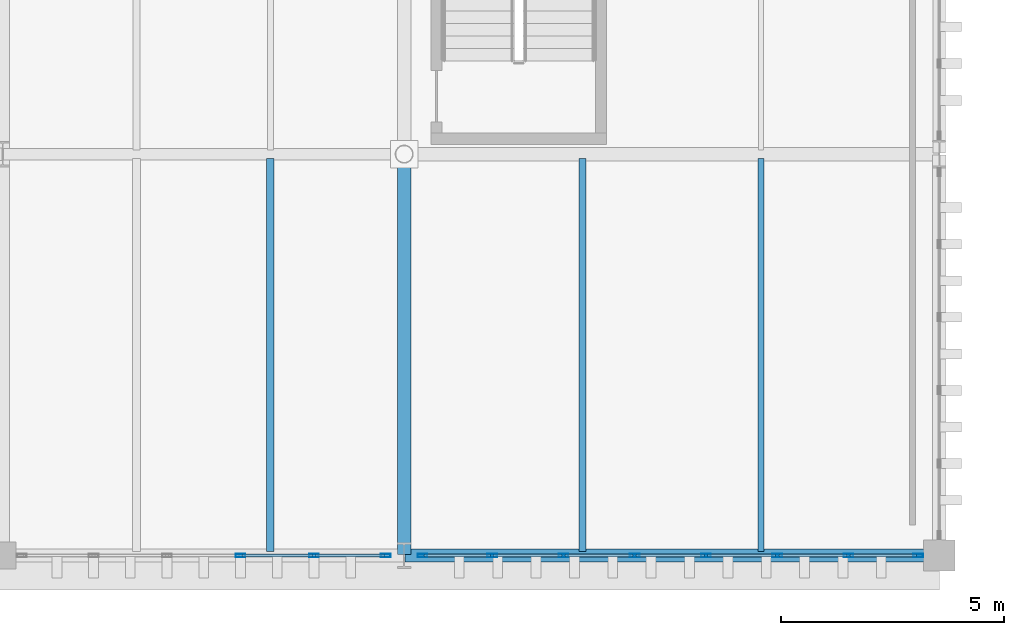
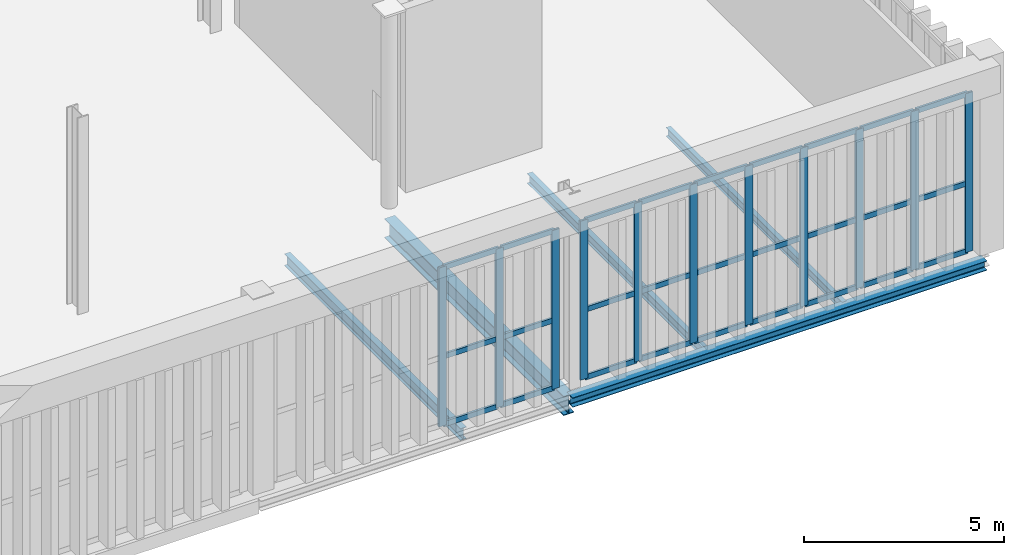
# One storey, part 119 of 237: 38 members, 5 beams, 2 elements without a shape of their own.
"""IFC4 building model written with IfcOpenShell, lengths in metres."""

from ifc_helpers import new_model, si_unit, direction, frame, origin, origin_2d, place, context, subcontext, project, spatial, hollow_rectangle, i_section, extrude, material, layer, layer_set, material_profile, profile_set, type_object, element, aggregate, save


model = new_model("IFC4")

# Units and contexts
model_context = context("Model", 3, precision=1e-05, world=origin(), true_north=direction((0.0, 1.0)))
body_context = subcontext(model_context, "Body", "Model", "MODEL_VIEW")
ifc_project = project(units=[si_unit("LENGTHUNIT", "METRE"), si_unit("AREAUNIT", "SQUARE_METRE"), si_unit("VOLUMEUNIT", "CUBIC_METRE"), si_unit("PLANEANGLEUNIT", "RADIAN"), si_unit("MASSUNIT", "GRAM", prefix="KILO")], contexts=[model_context])

# Site, building, storey
site_placement = place(None, origin())
site = spatial("IfcSite", under=ifc_project, at=site_placement, CompositionType="ELEMENT")
building_placement = place(site_placement, origin())
building = spatial("IfcBuilding", under=site, at=building_placement, Name="Barlavento Convention Centre", CompositionType="ELEMENT")
storey_placement = place(building_placement, frame((0.0, 0.0, 12.0)))
storey = spatial("IfcBuildingStorey", under=building, at=storey_placement, Name="L02", CompositionType="ELEMENT", Elevation=12.0)

# Curtain wall, members
ifc_material_1 = material(Name="Powder-coated aluminium and Low-E glass", Category="aluminium")
ifc_layer = layer(ifc_material_1, 0.195068359375)
ifc_layer_set = layer_set([ifc_layer], Name="ARC-CW-BALL-L02")
curtain_wall_type = type_object("IfcCurtainWallType", Name="ARC-CW-BALL-L02", PredefinedType="NOTDEFINED", material=ifc_layer_set)
curtain_wall_1_placement = place(storey_placement, origin())
curtain_wall_1 = element("IfcCurtainWall", 1, at=curtain_wall_1_placement, inside=storey, type_object=curtain_wall_type, Name="L02 unitised curtain wall CW07", PredefinedType="NOTDEFINED")
ifc_material_2 = material(Name="Powder-coated aluminium", Category="aluminium")
ifc_material_profile_1 = material_profile(ifc_material_2, hollow_rectangle(XDim=0.070068359375, YDim=0.219970703125, WallThickness=0.006103515625, at=origin_2d()), Name="AL-MULL 70x220x6")
ifc_profile_set_1 = profile_set([ifc_material_profile_1], Name="Powder-coated aluminium")
member_type_1 = type_object("IfcMemberType", Name="ARC-CWM-70X220", PredefinedType="MULLION", material=ifc_profile_set_1)
member_1_placement = place(storey_placement, frame((176.330322265625, 0.0, 0.0), z_axis=(0.0, 0.0, 1.0), x_axis=(0.0, 1.0, 0.0)))
member_1 = element("IfcMember", 2, at=member_1_placement, type_object=member_type_1, Name="CW07 mullion 4", PredefinedType="MULLION", context=body_context, shape_type="SweptSolid", body=[
    extrude(hollow_rectangle(XDim=0.070068359375, YDim=0.219970703125, WallThickness=0.006103515625, at=origin_2d()), origin(), (0.0, 0.0, 1.0), 4.85009765625),
])
member_2_placement = place(storey_placement, frame((177.977294921875, 0.0, 0.0), z_axis=(0.0, 0.0, 1.0), x_axis=(0.0, 1.0, 0.0)))
member_2 = element("IfcMember", 3, at=member_2_placement, type_object=member_type_1, Name="CW07 mullion 5", PredefinedType="MULLION", context=body_context, shape_type="SweptSolid", body=[
    extrude(hollow_rectangle(XDim=0.070068359375, YDim=0.219970703125, WallThickness=0.006103515625, at=origin_2d()), origin(), (0.0, 0.0, 1.0), 4.85009765625),
])
member_3_placement = place(storey_placement, frame((179.589111328125, 0.0, 0.0), z_axis=(0.0, 0.0, 1.0), x_axis=(0.0, 1.0, 0.0)))
member_3 = element("IfcMember", 4, at=member_3_placement, type_object=member_type_1, Name="CW07 mullion 6", PredefinedType="MULLION", context=body_context, shape_type="SweptSolid", body=[
    extrude(hollow_rectangle(XDim=0.070068359375, YDim=0.219970703125, WallThickness=0.006103515625, at=origin_2d()), origin(), (0.0, 0.0, 1.0), 4.85009765625),
])

curtain_wall_2_placement = place(storey_placement, origin())
curtain_wall_2 = element("IfcCurtainWall", 5, at=curtain_wall_2_placement, inside=storey, type_object=curtain_wall_type, Name="L02 unitised curtain wall CW07", PredefinedType="NOTDEFINED")
member_4_placement = place(storey_placement, frame((180.410888671875, 0.0, 0.0), z_axis=(0.0, 0.0, 1.0), x_axis=(0.0, 1.0, 0.0)))
member_4 = element("IfcMember", 6, at=member_4_placement, type_object=member_type_1, Name="CW07 mullion 1", PredefinedType="MULLION", context=body_context, shape_type="SweptSolid", body=[
    extrude(hollow_rectangle(XDim=0.070068359375, YDim=0.219970703125, WallThickness=0.006103515625, at=origin_2d()), origin(), (0.0, 0.0, 1.0), 4.85009765625),
])
member_5_placement = place(storey_placement, frame((181.9736328125, 0.0, 0.0), z_axis=(0.0, 0.0, 1.0), x_axis=(0.0, 1.0, 0.0)))
member_5 = element("IfcMember", 7, at=member_5_placement, type_object=member_type_1, Name="CW07 mullion 2", PredefinedType="MULLION", context=body_context, shape_type="SweptSolid", body=[
    extrude(hollow_rectangle(XDim=0.070068359375, YDim=0.219970703125, WallThickness=0.006103515625, at=origin_2d()), origin(), (0.0, 0.0, 1.0), 4.85009765625),
])
member_6_placement = place(storey_placement, frame((183.571533203125, 0.0, 0.0), z_axis=(0.0, 0.0, 1.0), x_axis=(0.0, 1.0, 0.0)))
member_6 = element("IfcMember", 8, at=member_6_placement, type_object=member_type_1, Name="CW07 mullion 3", PredefinedType="MULLION", context=body_context, shape_type="SweptSolid", body=[
    extrude(hollow_rectangle(XDim=0.070068359375, YDim=0.219970703125, WallThickness=0.006103515625, at=origin_2d()), origin(), (0.0, 0.0, 1.0), 4.85009765625),
])
member_7_placement = place(storey_placement, frame((185.169189453125, 0.0, 0.0), z_axis=(0.0, 0.0, 1.0), x_axis=(0.0, 1.0, 0.0)))
member_7 = element("IfcMember", 9, at=member_7_placement, type_object=member_type_1, Name="CW07 mullion 4", PredefinedType="MULLION", context=body_context, shape_type="SweptSolid", body=[
    extrude(hollow_rectangle(XDim=0.070068359375, YDim=0.219970703125, WallThickness=0.006103515625, at=origin_2d()), origin(), (0.0, 0.0, 1.0), 4.85009765625),
])
member_8_placement = place(storey_placement, frame((186.766845703125, 0.0, 0.0), z_axis=(0.0, 0.0, 1.0), x_axis=(0.0, 1.0, 0.0)))
member_8 = element("IfcMember", 10, at=member_8_placement, type_object=member_type_1, Name="CW07 mullion 5", PredefinedType="MULLION", context=body_context, shape_type="SweptSolid", body=[
    extrude(hollow_rectangle(XDim=0.070068359375, YDim=0.219970703125, WallThickness=0.006103515625, at=origin_2d()), origin(), (0.0, 0.0, 1.0), 4.85009765625),
])
member_9_placement = place(storey_placement, frame((188.364501953125, 0.0, 0.0), z_axis=(0.0, 0.0, 1.0), x_axis=(0.0, 1.0, 0.0)))
member_9 = element("IfcMember", 11, at=member_9_placement, type_object=member_type_1, Name="CW07 mullion 6", PredefinedType="MULLION", context=body_context, shape_type="SweptSolid", body=[
    extrude(hollow_rectangle(XDim=0.070068359375, YDim=0.219970703125, WallThickness=0.006103515625, at=origin_2d()), origin(), (0.0, 0.0, 1.0), 4.85009765625),
])
member_10_placement = place(storey_placement, frame((189.96240234375, 0.0, 0.0), z_axis=(0.0, 0.0, 1.0), x_axis=(0.0, 1.0, 0.0)))
member_10 = element("IfcMember", 12, at=member_10_placement, type_object=member_type_1, Name="CW07 mullion 7", PredefinedType="MULLION", context=body_context, shape_type="SweptSolid", body=[
    extrude(hollow_rectangle(XDim=0.070068359375, YDim=0.219970703125, WallThickness=0.006103515625, at=origin_2d()), origin(), (0.0, 0.0, 1.0), 4.85009765625),
])
member_11_placement = place(storey_placement, frame((191.52490234375, 0.0, 0.0), z_axis=(0.0, 0.0, 1.0), x_axis=(0.0, 1.0, 0.0)))
member_11 = element("IfcMember", 13, at=member_11_placement, type_object=member_type_1, Name="CW07 mullion 8", PredefinedType="MULLION", context=body_context, shape_type="SweptSolid", body=[
    extrude(hollow_rectangle(XDim=0.070068359375, YDim=0.219970703125, WallThickness=0.006103515625, at=origin_2d()), origin(), (0.0, 0.0, 1.0), 4.85009765625),
])

# Member
ifc_material_profile_2 = material_profile(ifc_material_2, hollow_rectangle(XDim=0.06494140625, YDim=0.159912109375, WallThickness=0.0048828125, at=origin_2d()), Name="AL-TRAN 65x160x5")
ifc_profile_set_2 = profile_set([ifc_material_profile_2], Name="Powder-coated aluminium")
member_type_2 = type_object("IfcMemberType", Name="ARC-CWT-65X160", PredefinedType="USERDEFINED", material=ifc_profile_set_2)
member_12_placement = place(storey_placement, frame((176.365478515625, 0.0, 0.032470703125), z_axis=(1.0, 0.0, 0.0), x_axis=(0.0, 1.0, 0.0)))
member_12 = element("IfcMember", 14, at=member_12_placement, type_object=member_type_2, Name="CW07 transom 4.1", ObjectType="TRANSOM", PredefinedType="USERDEFINED", context=body_context, shape_type="SweptSolid", body=[
    extrude(hollow_rectangle(XDim=0.06494140625, YDim=0.159912109375, WallThickness=0.0048828125, at=origin_2d()), origin(), (0.0, 0.0, 1.0), 1.57666015625),
])

member_13_placement = place(storey_placement, frame((176.365478515625, 0.0, 2.10009765625), z_axis=(1.0, 0.0, 0.0), x_axis=(0.0, 1.0, 0.0)))
member_13 = element("IfcMember", 15, at=member_13_placement, type_object=member_type_2, Name="CW07 transom 4.2", ObjectType="TRANSOM", PredefinedType="USERDEFINED", context=body_context, shape_type="SweptSolid", body=[
    extrude(hollow_rectangle(XDim=0.06494140625, YDim=0.159912109375, WallThickness=0.0048828125, at=origin_2d()), origin(), (0.0, 0.0, 1.0), 1.57666015625),
])

member_14_placement = place(storey_placement, frame((176.365478515625, 0.0, 4.8173828125), z_axis=(1.0, 0.0, 0.0), x_axis=(0.0, 1.0, 0.0)))
member_14 = element("IfcMember", 16, at=member_14_placement, type_object=member_type_2, Name="CW07 transom 4.3", ObjectType="TRANSOM", PredefinedType="USERDEFINED", context=body_context, shape_type="SweptSolid", body=[
    extrude(hollow_rectangle(XDim=0.06494140625, YDim=0.159912109375, WallThickness=0.0048828125, at=origin_2d()), origin(), (0.0, 0.0, 1.0), 1.57666015625),
])

member_15_placement = place(storey_placement, frame((178.01220703125, 0.0, 0.032470703125), z_axis=(1.0, 0.0, 0.0), x_axis=(0.0, 1.0, 0.0)))
member_15 = element("IfcMember", 17, at=member_15_placement, type_object=member_type_2, Name="CW07 transom 5.1", ObjectType="TRANSOM", PredefinedType="USERDEFINED", context=body_context, shape_type="SweptSolid", body=[
    extrude(hollow_rectangle(XDim=0.06494140625, YDim=0.159912109375, WallThickness=0.0048828125, at=origin_2d()), origin(), (0.0, 0.0, 1.0), 1.541748046875),
])

member_16_placement = place(storey_placement, frame((178.01220703125, 0.0, 2.10009765625), z_axis=(1.0, 0.0, 0.0), x_axis=(0.0, 1.0, 0.0)))
member_16 = element("IfcMember", 18, at=member_16_placement, type_object=member_type_2, Name="CW07 transom 5.2", ObjectType="TRANSOM", PredefinedType="USERDEFINED", context=body_context, shape_type="SweptSolid", body=[
    extrude(hollow_rectangle(XDim=0.06494140625, YDim=0.159912109375, WallThickness=0.0048828125, at=origin_2d()), origin(), (0.0, 0.0, 1.0), 1.541748046875),
])

member_17_placement = place(storey_placement, frame((178.01220703125, 0.0, 4.8173828125), z_axis=(1.0, 0.0, 0.0), x_axis=(0.0, 1.0, 0.0)))
member_17 = element("IfcMember", 19, at=member_17_placement, type_object=member_type_2, Name="CW07 transom 5.3", ObjectType="TRANSOM", PredefinedType="USERDEFINED", context=body_context, shape_type="SweptSolid", body=[
    extrude(hollow_rectangle(XDim=0.06494140625, YDim=0.159912109375, WallThickness=0.0048828125, at=origin_2d()), origin(), (0.0, 0.0, 1.0), 1.541748046875),
])

aggregate(curtain_wall_1, [member_1, member_2, member_3, member_12, member_13, member_14, member_15, member_16, member_17])

member_18_placement = place(storey_placement, frame((180.446044921875, 0.0, 0.032470703125), z_axis=(1.0, 0.0, 0.0), x_axis=(0.0, 1.0, 0.0)))
member_18 = element("IfcMember", 20, at=member_18_placement, type_object=member_type_2, Name="CW07 transom 1.1", ObjectType="TRANSOM", PredefinedType="USERDEFINED", context=body_context, shape_type="SweptSolid", body=[
    extrude(hollow_rectangle(XDim=0.06494140625, YDim=0.159912109375, WallThickness=0.0048828125, at=origin_2d()), origin(), (0.0, 0.0, 1.0), 1.49267578125),
])

member_19_placement = place(storey_placement, frame((180.446044921875, 0.0, 2.10009765625), z_axis=(1.0, 0.0, 0.0), x_axis=(0.0, 1.0, 0.0)))
member_19 = element("IfcMember", 21, at=member_19_placement, type_object=member_type_2, Name="CW07 transom 1.2", ObjectType="TRANSOM", PredefinedType="USERDEFINED", context=body_context, shape_type="SweptSolid", body=[
    extrude(hollow_rectangle(XDim=0.06494140625, YDim=0.159912109375, WallThickness=0.0048828125, at=origin_2d()), origin(), (0.0, 0.0, 1.0), 1.49267578125),
])

member_20_placement = place(storey_placement, frame((180.446044921875, 0.0, 4.8173828125), z_axis=(1.0, 0.0, 0.0), x_axis=(0.0, 1.0, 0.0)))
member_20 = element("IfcMember", 22, at=member_20_placement, type_object=member_type_2, Name="CW07 transom 1.3", ObjectType="TRANSOM", PredefinedType="USERDEFINED", context=body_context, shape_type="SweptSolid", body=[
    extrude(hollow_rectangle(XDim=0.06494140625, YDim=0.159912109375, WallThickness=0.0048828125, at=origin_2d()), origin(), (0.0, 0.0, 1.0), 1.49267578125),
])

member_21_placement = place(storey_placement, frame((182.0087890625, 0.0, 0.032470703125), z_axis=(1.0, 0.0, 0.0), x_axis=(0.0, 1.0, 0.0)))
member_21 = element("IfcMember", 23, at=member_21_placement, type_object=member_type_2, Name="CW07 transom 2.1", ObjectType="TRANSOM", PredefinedType="USERDEFINED", context=body_context, shape_type="SweptSolid", body=[
    extrude(hollow_rectangle(XDim=0.06494140625, YDim=0.159912109375, WallThickness=0.0048828125, at=origin_2d()), origin(), (0.0, 0.0, 1.0), 1.527587890625),
])

member_22_placement = place(storey_placement, frame((182.0087890625, 0.0, 2.10009765625), z_axis=(1.0, 0.0, 0.0), x_axis=(0.0, 1.0, 0.0)))
member_22 = element("IfcMember", 24, at=member_22_placement, type_object=member_type_2, Name="CW07 transom 2.2", ObjectType="TRANSOM", PredefinedType="USERDEFINED", context=body_context, shape_type="SweptSolid", body=[
    extrude(hollow_rectangle(XDim=0.06494140625, YDim=0.159912109375, WallThickness=0.0048828125, at=origin_2d()), origin(), (0.0, 0.0, 1.0), 1.527587890625),
])

member_23_placement = place(storey_placement, frame((182.0087890625, 0.0, 4.8173828125), z_axis=(1.0, 0.0, 0.0), x_axis=(0.0, 1.0, 0.0)))
member_23 = element("IfcMember", 25, at=member_23_placement, type_object=member_type_2, Name="CW07 transom 2.3", ObjectType="TRANSOM", PredefinedType="USERDEFINED", context=body_context, shape_type="SweptSolid", body=[
    extrude(hollow_rectangle(XDim=0.06494140625, YDim=0.159912109375, WallThickness=0.0048828125, at=origin_2d()), origin(), (0.0, 0.0, 1.0), 1.527587890625),
])

member_24_placement = place(storey_placement, frame((183.6064453125, 0.0, 0.032470703125), z_axis=(1.0, 0.0, 0.0), x_axis=(0.0, 1.0, 0.0)))
member_24 = element("IfcMember", 26, at=member_24_placement, type_object=member_type_2, Name="CW07 transom 3.1", ObjectType="TRANSOM", PredefinedType="USERDEFINED", context=body_context, shape_type="SweptSolid", body=[
    extrude(hollow_rectangle(XDim=0.06494140625, YDim=0.159912109375, WallThickness=0.0048828125, at=origin_2d()), origin(), (0.0, 0.0, 1.0), 1.527587890625),
])

member_25_placement = place(storey_placement, frame((183.6064453125, 0.0, 2.10009765625), z_axis=(1.0, 0.0, 0.0), x_axis=(0.0, 1.0, 0.0)))
member_25 = element("IfcMember", 27, at=member_25_placement, type_object=member_type_2, Name="CW07 transom 3.2", ObjectType="TRANSOM", PredefinedType="USERDEFINED", context=body_context, shape_type="SweptSolid", body=[
    extrude(hollow_rectangle(XDim=0.06494140625, YDim=0.159912109375, WallThickness=0.0048828125, at=origin_2d()), origin(), (0.0, 0.0, 1.0), 1.527587890625),
])

member_26_placement = place(storey_placement, frame((183.6064453125, 0.0, 4.8173828125), z_axis=(1.0, 0.0, 0.0), x_axis=(0.0, 1.0, 0.0)))
member_26 = element("IfcMember", 28, at=member_26_placement, type_object=member_type_2, Name="CW07 transom 3.3", ObjectType="TRANSOM", PredefinedType="USERDEFINED", context=body_context, shape_type="SweptSolid", body=[
    extrude(hollow_rectangle(XDim=0.06494140625, YDim=0.159912109375, WallThickness=0.0048828125, at=origin_2d()), origin(), (0.0, 0.0, 1.0), 1.527587890625),
])

member_27_placement = place(storey_placement, frame((185.2041015625, 0.0, 0.032470703125), z_axis=(1.0, 0.0, 0.0), x_axis=(0.0, 1.0, 0.0)))
member_27 = element("IfcMember", 29, at=member_27_placement, type_object=member_type_2, Name="CW07 transom 4.1", ObjectType="TRANSOM", PredefinedType="USERDEFINED", context=body_context, shape_type="SweptSolid", body=[
    extrude(hollow_rectangle(XDim=0.06494140625, YDim=0.159912109375, WallThickness=0.0048828125, at=origin_2d()), origin(), (0.0, 0.0, 1.0), 1.52783203125),
])

member_28_placement = place(storey_placement, frame((185.2041015625, 0.0, 2.10009765625), z_axis=(1.0, 0.0, 0.0), x_axis=(0.0, 1.0, 0.0)))
member_28 = element("IfcMember", 30, at=member_28_placement, type_object=member_type_2, Name="CW07 transom 4.2", ObjectType="TRANSOM", PredefinedType="USERDEFINED", context=body_context, shape_type="SweptSolid", body=[
    extrude(hollow_rectangle(XDim=0.06494140625, YDim=0.159912109375, WallThickness=0.0048828125, at=origin_2d()), origin(), (0.0, 0.0, 1.0), 1.52783203125),
])

member_29_placement = place(storey_placement, frame((185.2041015625, 0.0, 4.8173828125), z_axis=(1.0, 0.0, 0.0), x_axis=(0.0, 1.0, 0.0)))
member_29 = element("IfcMember", 31, at=member_29_placement, type_object=member_type_2, Name="CW07 transom 4.3", ObjectType="TRANSOM", PredefinedType="USERDEFINED", context=body_context, shape_type="SweptSolid", body=[
    extrude(hollow_rectangle(XDim=0.06494140625, YDim=0.159912109375, WallThickness=0.0048828125, at=origin_2d()), origin(), (0.0, 0.0, 1.0), 1.52783203125),
])

member_30_placement = place(storey_placement, frame((186.8017578125, 0.0, 0.032470703125), z_axis=(1.0, 0.0, 0.0), x_axis=(0.0, 1.0, 0.0)))
member_30 = element("IfcMember", 32, at=member_30_placement, type_object=member_type_2, Name="CW07 transom 5.1", ObjectType="TRANSOM", PredefinedType="USERDEFINED", context=body_context, shape_type="SweptSolid", body=[
    extrude(hollow_rectangle(XDim=0.06494140625, YDim=0.159912109375, WallThickness=0.0048828125, at=origin_2d()), origin(), (0.0, 0.0, 1.0), 1.52783203125),
])

member_31_placement = place(storey_placement, frame((186.8017578125, 0.0, 2.10009765625), z_axis=(1.0, 0.0, 0.0), x_axis=(0.0, 1.0, 0.0)))
member_31 = element("IfcMember", 33, at=member_31_placement, type_object=member_type_2, Name="CW07 transom 5.2", ObjectType="TRANSOM", PredefinedType="USERDEFINED", context=body_context, shape_type="SweptSolid", body=[
    extrude(hollow_rectangle(XDim=0.06494140625, YDim=0.159912109375, WallThickness=0.0048828125, at=origin_2d()), origin(), (0.0, 0.0, 1.0), 1.52783203125),
])

member_32_placement = place(storey_placement, frame((186.8017578125, 0.0, 4.8173828125), z_axis=(1.0, 0.0, 0.0), x_axis=(0.0, 1.0, 0.0)))
member_32 = element("IfcMember", 34, at=member_32_placement, type_object=member_type_2, Name="CW07 transom 5.3", ObjectType="TRANSOM", PredefinedType="USERDEFINED", context=body_context, shape_type="SweptSolid", body=[
    extrude(hollow_rectangle(XDim=0.06494140625, YDim=0.159912109375, WallThickness=0.0048828125, at=origin_2d()), origin(), (0.0, 0.0, 1.0), 1.52783203125),
])

member_33_placement = place(storey_placement, frame((188.399658203125, 0.0, 0.032470703125), z_axis=(1.0, 0.0, 0.0), x_axis=(0.0, 1.0, 0.0)))
member_33 = element("IfcMember", 35, at=member_33_placement, type_object=member_type_2, Name="CW07 transom 6.1", ObjectType="TRANSOM", PredefinedType="USERDEFINED", context=body_context, shape_type="SweptSolid", body=[
    extrude(hollow_rectangle(XDim=0.06494140625, YDim=0.159912109375, WallThickness=0.0048828125, at=origin_2d()), origin(), (0.0, 0.0, 1.0), 1.527587890625),
])

member_34_placement = place(storey_placement, frame((188.399658203125, 0.0, 2.10009765625), z_axis=(1.0, 0.0, 0.0), x_axis=(0.0, 1.0, 0.0)))
member_34 = element("IfcMember", 36, at=member_34_placement, type_object=member_type_2, Name="CW07 transom 6.2", ObjectType="TRANSOM", PredefinedType="USERDEFINED", context=body_context, shape_type="SweptSolid", body=[
    extrude(hollow_rectangle(XDim=0.06494140625, YDim=0.159912109375, WallThickness=0.0048828125, at=origin_2d()), origin(), (0.0, 0.0, 1.0), 1.527587890625),
])

member_35_placement = place(storey_placement, frame((188.399658203125, 0.0, 4.8173828125), z_axis=(1.0, 0.0, 0.0), x_axis=(0.0, 1.0, 0.0)))
member_35 = element("IfcMember", 37, at=member_35_placement, type_object=member_type_2, Name="CW07 transom 6.3", ObjectType="TRANSOM", PredefinedType="USERDEFINED", context=body_context, shape_type="SweptSolid", body=[
    extrude(hollow_rectangle(XDim=0.06494140625, YDim=0.159912109375, WallThickness=0.0048828125, at=origin_2d()), origin(), (0.0, 0.0, 1.0), 1.527587890625),
])

member_36_placement = place(storey_placement, frame((189.997314453125, 0.0, 0.032470703125), z_axis=(1.0, 0.0, 0.0), x_axis=(0.0, 1.0, 0.0)))
member_36 = element("IfcMember", 38, at=member_36_placement, type_object=member_type_2, Name="CW07 transom 7.1", ObjectType="TRANSOM", PredefinedType="USERDEFINED", context=body_context, shape_type="SweptSolid", body=[
    extrude(hollow_rectangle(XDim=0.06494140625, YDim=0.159912109375, WallThickness=0.0048828125, at=origin_2d()), origin(), (0.0, 0.0, 1.0), 1.49267578125),
])

member_37_placement = place(storey_placement, frame((189.997314453125, 0.0, 2.10009765625), z_axis=(1.0, 0.0, 0.0), x_axis=(0.0, 1.0, 0.0)))
member_37 = element("IfcMember", 39, at=member_37_placement, type_object=member_type_2, Name="CW07 transom 7.2", ObjectType="TRANSOM", PredefinedType="USERDEFINED", context=body_context, shape_type="SweptSolid", body=[
    extrude(hollow_rectangle(XDim=0.06494140625, YDim=0.159912109375, WallThickness=0.0048828125, at=origin_2d()), origin(), (0.0, 0.0, 1.0), 1.49267578125),
])

member_38_placement = place(storey_placement, frame((189.997314453125, 0.0, 4.8173828125), z_axis=(1.0, 0.0, 0.0), x_axis=(0.0, 1.0, 0.0)))
member_38 = element("IfcMember", 40, at=member_38_placement, type_object=member_type_2, Name="CW07 transom 7.3", ObjectType="TRANSOM", PredefinedType="USERDEFINED", context=body_context, shape_type="SweptSolid", body=[
    extrude(hollow_rectangle(XDim=0.06494140625, YDim=0.159912109375, WallThickness=0.0048828125, at=origin_2d()), origin(), (0.0, 0.0, 1.0), 1.49267578125),
])

aggregate(curtain_wall_2, [member_4, member_5, member_6, member_7, member_8, member_9, member_10, member_11, member_18, member_19, member_20, member_21, member_22, member_23, member_24, member_25, member_26, member_27, member_28, member_29, member_30, member_31, member_32, member_33, member_34, member_35, member_36, member_37, member_38])

# Beams
ifc_material_3 = material(Name="Steel S355", Category="steel")
ifc_material_profile_3 = material_profile(ifc_material_3, i_section(OverallWidth=0.135009765625, OverallDepth=0.27001953125, WebThickness=0.006591796875, FlangeThickness=0.01025390625, FilletRadius=0.014892578125, at=origin_2d()), Name="IPE 270")
ifc_profile_set_3 = profile_set([ifc_material_profile_3], Name="Steel S355")
beam_type_1 = type_object("IfcBeamType", Name="STR-BM-JST-IPE270", PredefinedType="JOIST", material=ifc_profile_set_3)
beam_1_placement = place(storey_placement, frame((188.0, 0.094970703125, -0.5048828125), z_axis=(0.0, 1.0, 0.0), x_axis=(-1.0, 0.0, 0.0)))
element("IfcBeam", 41, at=beam_1_placement, inside=storey, type_object=beam_type_1, Name="L02 composite floor joist SJ08", PredefinedType="JOIST", context=body_context, shape_type="SweptSolid", body=[
    extrude(i_section(OverallWidth=0.135009765625, OverallDepth=0.27001953125, WebThickness=0.006591796875, FlangeThickness=0.01025390625, FilletRadius=0.014892578125, at=origin_2d()), origin(), (0.0, 0.0, 1.0), 8.81005859375),
])
ifc_material_profile_4 = material_profile(ifc_material_3, i_section(OverallWidth=0.14990234375, OverallDepth=0.300048828125, WebThickness=0.007080078125, FlangeThickness=0.0107421875, FilletRadius=0.014892578125, at=origin_2d()), Name="IPE 300")
ifc_profile_set_4 = profile_set([ifc_material_profile_4], Name="Steel S355")
beam_type_2 = type_object("IfcBeamType", Name="STR-BM-JST-IPE300", PredefinedType="JOIST", material=ifc_profile_set_4)
beam_2_placement = place(storey_placement, frame((184.0, 0.094970703125, -0.52001953125), z_axis=(0.0, 1.0, 0.0), x_axis=(-1.0, 0.0, 0.0)))
element("IfcBeam", 42, at=beam_2_placement, inside=storey, type_object=beam_type_2, Name="L02 composite floor joist SJ07", PredefinedType="JOIST", context=body_context, shape_type="SweptSolid", body=[
    extrude(i_section(OverallWidth=0.14990234375, OverallDepth=0.300048828125, WebThickness=0.007080078125, FlangeThickness=0.0107421875, FilletRadius=0.014892578125, at=origin_2d()), origin(), (0.0, 0.0, 1.0), 8.81005859375),
])
ifc_material_profile_5 = material_profile(ifc_material_3, i_section(OverallWidth=0.169921875, OverallDepth=0.360107421875, WebThickness=0.008056640625, FlangeThickness=0.0126953125, FilletRadius=0.01806640625, at=origin_2d()), Name="IPE 360")
ifc_profile_set_5 = profile_set([ifc_material_profile_5], Name="Steel S355")
beam_type_3 = type_object("IfcBeamType", Name="STR-BM-JST-IPE360", PredefinedType="JOIST", material=ifc_profile_set_5)
beam_3_placement = place(storey_placement, frame((177.0, 0.094970703125, -0.550048828125), z_axis=(0.0, 1.0, 0.0), x_axis=(-1.0, 0.0, 0.0)))
element("IfcBeam", 43, at=beam_3_placement, inside=storey, type_object=beam_type_3, Name="L02 composite floor joist SJ05", PredefinedType="JOIST", context=body_context, shape_type="SweptSolid", body=[
    extrude(i_section(OverallWidth=0.169921875, OverallDepth=0.360107421875, WebThickness=0.008056640625, FlangeThickness=0.0126953125, FilletRadius=0.01806640625, at=origin_2d()), origin(), (0.0, 0.0, 1.0), 8.81005859375),
])
ifc_material_profile_6 = material_profile(ifc_material_3, i_section(OverallWidth=0.300048828125, OverallDepth=0.590087890625, WebThickness=0.012939453125, FlangeThickness=0.02490234375, FilletRadius=0.027099609375, at=origin_2d()), Name="HEA 600")
ifc_profile_set_6 = profile_set([ifc_material_profile_6], Name="Steel S355")
beam_type_4 = type_object("IfcBeamType", Name="STR-BM-PRI-HEA600", PredefinedType="BEAM", material=ifc_profile_set_6)
beam_4_placement = place(storey_placement, frame((180.0, 0.02001953125, -0.6650390625), z_axis=(0.0, 1.0, 0.0), x_axis=(-1.0, 0.0, 0.0)))
element("IfcBeam", 44, at=beam_4_placement, inside=storey, type_object=beam_type_4, Name="L02 grid girder BG18", PredefinedType="BEAM", context=body_context, shape_type="SweptSolid", body=[
    extrude(i_section(OverallWidth=0.300048828125, OverallDepth=0.590087890625, WebThickness=0.012939453125, FlangeThickness=0.02490234375, FilletRadius=0.027099609375, at=origin_2d()), origin(), (0.0, 0.0, 1.0), 8.9599609375),
])
ifc_material_profile_7 = material_profile(ifc_material_3, i_section(OverallWidth=0.300048828125, OverallDepth=0.2900390625, WebThickness=0.008544921875, FlangeThickness=0.013916015625, FilletRadius=0.027099609375, at=origin_2d()), Name="HEA 300")
ifc_profile_set_7 = profile_set([ifc_material_profile_7], Name="Steel S355")
beam_type_5 = type_object("IfcBeamType", Name="STR-BM-SPN-HEA300", PredefinedType="SPANDREL", material=ifc_profile_set_7)
beam_5_placement = place(storey_placement, frame((180.02001953125, 0.0, -0.514892578125), z_axis=(1.0, 0.0, 0.0), x_axis=(0.0, 1.0, 0.0)))
element("IfcBeam", 45, at=beam_5_placement, inside=storey, type_object=beam_type_5, Name="L02 primary girder SP02", PredefinedType="SPANDREL", context=body_context, shape_type="SweptSolid", body=[
    extrude(i_section(OverallWidth=0.300048828125, OverallDepth=0.2900390625, WebThickness=0.008544921875, FlangeThickness=0.013916015625, FilletRadius=0.027099609375, at=origin_2d()), origin(), (0.0, 0.0, 1.0), 11.9599609375),
])

save(model, "model.ifc")
